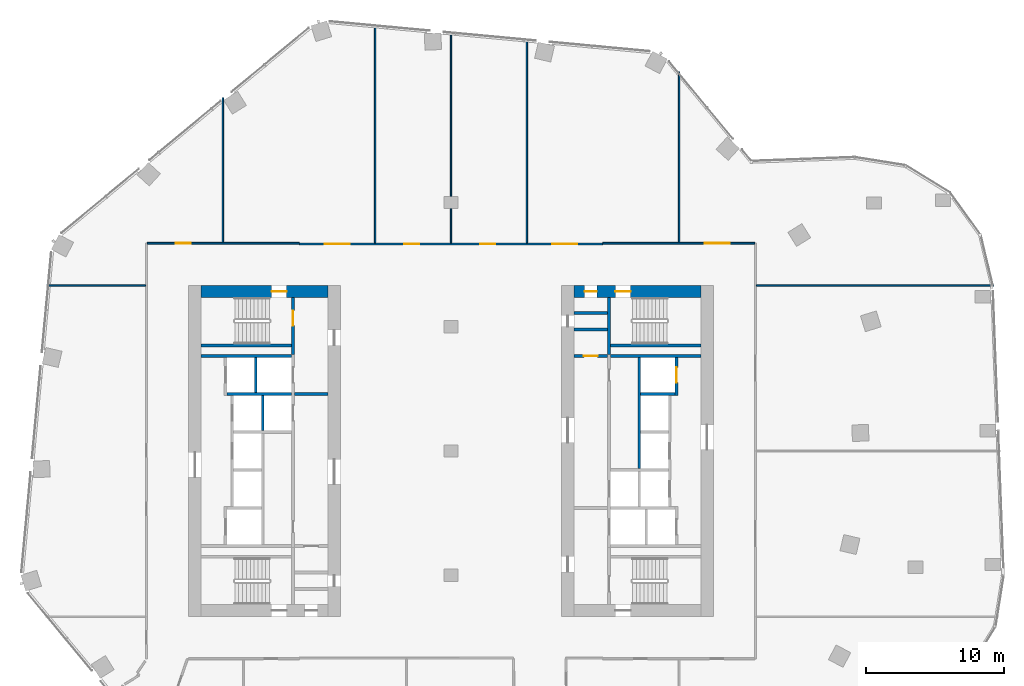
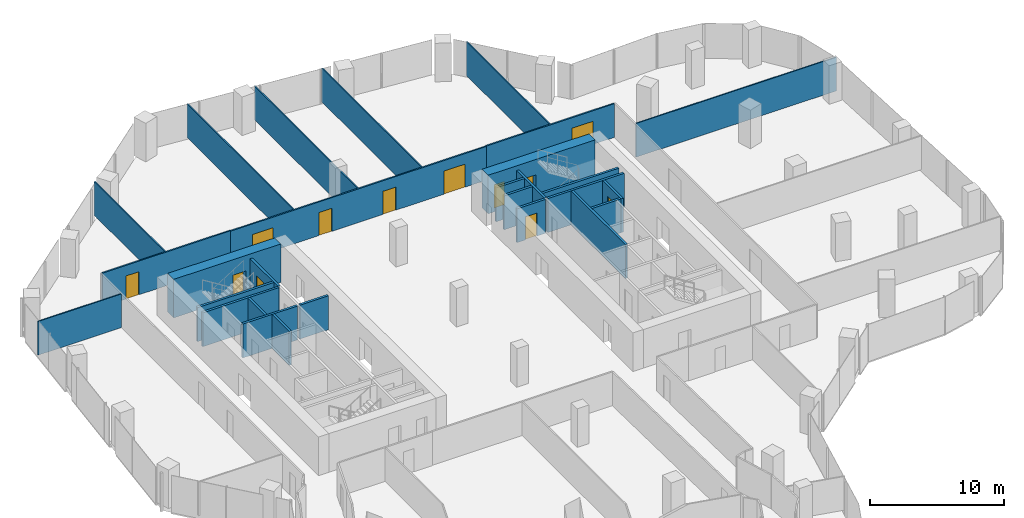
# One storey, part 22 of 24: 28 walls, 12 doors, 12 openings.
"""IFC4 building model written with IfcOpenShell, lengths in metres."""

from ifc_helpers import new_model, si_unit, direction, frame, frame_2d, origin, place, context, subcontext, project, spatial, rectangle, extrude, material, layer, layer_set, type_object, element, fill, save


model = new_model("IFC4")

# Units and contexts
model_context = context("Model", 3, precision=1e-05, world=origin(), true_north=direction((0.0, 1.0)))
body_context = subcontext(model_context, "Body", "Model", "MODEL_VIEW")
ifc_project = project(units=[si_unit("LENGTHUNIT", "METRE"), si_unit("AREAUNIT", "SQUARE_METRE"), si_unit("VOLUMEUNIT", "CUBIC_METRE"), si_unit("PLANEANGLEUNIT", "RADIAN"), si_unit("MASSUNIT", "GRAM", prefix="KILO")], contexts=[model_context])

# Site, building, storey
site_placement = place(None, origin())
site = spatial("IfcSite", under=ifc_project, at=site_placement, CompositionType="ELEMENT")
building_placement = place(site_placement, origin())
building = spatial("IfcBuilding", under=site, at=building_placement, Name="Orlundy Tower", CompositionType="ELEMENT")
storey_placement = place(building_placement, frame((0.0, 0.0, 174.10009765625)))
storey = spatial("IfcBuildingStorey", under=building, at=storey_placement, Name="L45", CompositionType="ELEMENT", Elevation=174.10009765625)

# Wall, opening, door
ifc_material_1 = material(Name="Concrete C70/85", Category="concrete")
ifc_layer_1 = layer(ifc_material_1, 0.89990234375)
ifc_layer_set_1 = layer_set([ifc_layer_1], Name="CORE WALL 900 C70/85")
wall_type_1 = type_object("IfcWallType", Name="CORE WALL 900 C70/85", PredefinedType="SHEAR", material=ifc_layer_set_1)
wall_1_placement = place(storey_placement, frame((-18.10009765625, 11.550048828125, 0.0), z_axis=(0.0, 0.0, 1.0), x_axis=(1.0, 0.0, 0.0)))
wall_1 = element("IfcWall", 1, at=wall_1_placement, inside=storey, type_object=wall_type_1, Name="Core wall W-N L45", PredefinedType="SHEAR", context=body_context, shape_type="SweptSolid", body=[
    extrude(rectangle(XDim=9.2001953125, YDim=0.89990234375, at=frame_2d((4.60009765625, 0.0))), origin(), (0.0, 0.0, 1.0), 3.5),
])
opening_1_placement = place(wall_1_placement, frame((5.10009765625, 0.0, 0.0)))
opening_1 = element("IfcOpeningElement", 2, at=opening_1_placement, cuts=wall_1, Name="Opening 35011", PredefinedType="OPENING", context=body_context, shape_type="SweptSolid", body=[
    extrude(rectangle(XDim=1.10009765625, YDim=2.10009765625, at=frame_2d((0.550048828125, 1.050048828125))), frame((0.0, 0.4599609375, 0.0), z_axis=(0.0, -1.0, 0.0), x_axis=(1.0, 0.0, 0.0)), (0.0, 0.0, 1.0), 0.919921875),
])
ifc_material_2 = material(Name="Steel door set", Category="steel")
door_type_1 = type_object("IfcDoorType", Name="Stair Door 1100x2100", OperationType="SINGLE_SWING_LEFT", PredefinedType="DOOR", material=ifc_material_2)
door_1_placement = place(opening_1_placement, origin())
door_1 = element("IfcDoor", 3, at=door_1_placement, inside=storey, type_object=door_type_1, Name="Stair door 35011", OperationType="SINGLE_SWING_RIGHT", OverallHeight=2.10009765625, OverallWidth=1.10009765625, PredefinedType="DOOR", context=body_context, shape_type="SweptSolid", body=[
    extrude(rectangle(XDim=1.10009765625, YDim=2.10009765625, at=frame_2d((0.550048828125, 1.050048828125))), frame((0.0, 0.02490234375, 0.0), z_axis=(0.0, -1.0, 0.0), x_axis=(1.0, 0.0, 0.0)), (0.0, 0.0, 1.0), 0.050048828125),
])
fill(opening_1, door_1)

# Wall, openings, doors
wall_2_placement = place(storey_placement, frame((8.89990234375, 11.550048828125, 0.0), z_axis=(0.0, 0.0, 1.0), x_axis=(1.0, 0.0, 0.0)))
wall_2 = element("IfcWall", 4, at=wall_2_placement, inside=storey, type_object=wall_type_1, Name="Core wall E-N L45", PredefinedType="SHEAR", context=body_context, shape_type="SweptSolid", body=[
    extrude(rectangle(XDim=9.2001953125, YDim=0.89990234375, at=frame_2d((4.60009765625, 0.0))), origin(), (0.0, 0.0, 1.0), 3.5),
])
opening_2_placement = place(wall_2_placement, frame((3.0, 0.0, 0.0)))
opening_2 = element("IfcOpeningElement", 5, at=opening_2_placement, cuts=wall_2, Name="Opening 35061", PredefinedType="OPENING", context=body_context, shape_type="SweptSolid", body=[
    extrude(rectangle(XDim=1.10009765625, YDim=2.10009765625, at=frame_2d((0.550048828125, 1.050048828125))), frame((0.0, 0.4599609375, 0.0), z_axis=(0.0, -1.0, 0.0), x_axis=(1.0, 0.0, 0.0)), (0.0, 0.0, 1.0), 0.919921875),
])
opening_3_placement = place(wall_2_placement, frame((0.77001953125, 0.0, 0.0)))
opening_3 = element("IfcOpeningElement", 6, at=opening_3_placement, cuts=wall_2, Name="Opening 35063", PredefinedType="OPENING", context=body_context, shape_type="SweptSolid", body=[
    extrude(rectangle(XDim=0.89990234375, YDim=2.10009765625, at=frame_2d((0.449951171875, 1.050048828125))), frame((0.0, 0.4599609375, 0.0), z_axis=(0.0, -1.0, 0.0), x_axis=(1.0, 0.0, 0.0)), (0.0, 0.0, 1.0), 0.919921875),
])
ifc_material_3 = material(Name="Timber door set", Category="wood")
door_type_2 = type_object("IfcDoorType", Name="Room Door 900x2100", OperationType="SINGLE_SWING_LEFT", PredefinedType="DOOR", material=ifc_material_3)
door_2_placement = place(opening_3_placement, origin())
door_2 = element("IfcDoor", 7, at=door_2_placement, inside=storey, type_object=door_type_2, Name="Store door 35063", OperationType="SINGLE_SWING_LEFT", OverallHeight=2.10009765625, OverallWidth=0.89990234375, PredefinedType="DOOR", context=body_context, shape_type="SweptSolid", body=[
    extrude(rectangle(XDim=0.89990234375, YDim=2.10009765625, at=frame_2d((0.449951171875, 1.050048828125))), frame((0.0, 0.02490234375, 0.0), z_axis=(0.0, -1.0, 0.0), x_axis=(1.0, 0.0, 0.0)), (0.0, 0.0, 1.0), 0.050048828125),
])
fill(opening_3, door_2)
door_3_placement = place(opening_2_placement, origin())
door_3 = element("IfcDoor", 8, at=door_3_placement, inside=storey, type_object=door_type_1, Name="Stair door 35061", OperationType="SINGLE_SWING_LEFT", OverallHeight=2.10009765625, OverallWidth=1.10009765625, PredefinedType="DOOR", context=body_context, shape_type="SweptSolid", body=[
    extrude(rectangle(XDim=1.10009765625, YDim=2.10009765625, at=frame_2d((0.550048828125, 1.050048828125))), frame((0.0, 0.02490234375, 0.0), z_axis=(0.0, -1.0, 0.0), x_axis=(1.0, 0.0, 0.0)), (0.0, 0.0, 1.0), 0.050048828125),
])
fill(opening_2, door_3)

# Walls
ifc_material_4 = material(Name="Gypsum board partition")
ifc_layer_2 = layer(ifc_material_4, 0.10009765625)
ifc_layer_set_2 = layer_set([ifc_layer_2], Name="Floor partition 100")
wall_type_2 = type_object("IfcWallType", Name="Floor partition 100", PredefinedType="PARTITIONING", material=ifc_layer_set_2)
wall_3_placement = place(storey_placement, frame((-29.260986328125, 12.0, 0.0), z_axis=(0.0, 0.0, 1.0), x_axis=(1.0, 0.0, 0.0)))
element("IfcWall", 9, at=wall_3_placement, inside=storey, type_object=wall_type_2, Name="wall-int-L45-044", PredefinedType="PARTITIONING", context=body_context, shape_type="SweptSolid", body=[
    extrude(rectangle(XDim=7.14794921875, YDim=0.10009765625, at=frame_2d((3.573974609375, 0.0))), origin(), (0.0, 0.0, 1.0), 3.059814453125),
])
wall_4_placement = place(storey_placement, frame((22.113037109375, 12.0, 0.0), z_axis=(0.0, 0.0, 1.0), x_axis=(1.0, 0.0, 0.0)))
element("IfcWall", 10, at=wall_4_placement, inside=storey, type_object=wall_type_2, Name="wall-int-L45-045", PredefinedType="PARTITIONING", context=body_context, shape_type="SweptSolid", body=[
    extrude(rectangle(XDim=17.2119140625, YDim=0.10009765625, at=frame_2d((8.60595703125, 0.0))), origin(), (0.0, 0.0, 1.0), 3.059814453125),
])
wall_5_placement = place(storey_placement, frame((16.52099609375, 15.114013671875, 0.0), z_axis=(0.0, 0.0, 1.0), x_axis=(0.0, 1.0, 0.0)))
element("IfcWall", 11, at=wall_5_placement, inside=storey, type_object=wall_type_2, Name="wall-int-L45-072", PredefinedType="PARTITIONING", context=body_context, shape_type="SweptSolid", body=[
    extrude(rectangle(XDim=12.35205078125, YDim=0.10009765625, at=frame_2d((6.176025390625, 0.0))), origin(), (0.0, 0.0, 1.0), 3.059814453125),
])
wall_6_placement = place(storey_placement, frame((5.4951171875, 15.06298828125, 0.0), z_axis=(0.0, 0.0, 1.0), x_axis=(0.0, 1.0, 0.0)))
element("IfcWall", 12, at=wall_6_placement, inside=storey, type_object=wall_type_2, Name="wall-int-L45-074", PredefinedType="PARTITIONING", context=body_context, shape_type="SweptSolid", body=[
    extrude(rectangle(XDim=14.804931640625, YDim=0.10009765625, at=frame_2d((7.40234375, 0.0))), origin(), (0.0, 0.0, 1.0), 3.059814453125),
])
wall_7_placement = place(storey_placement, frame((0.0, 15.06298828125, 0.0), z_axis=(0.0, 0.0, 1.0), x_axis=(0.0, 1.0, 0.0)))
element("IfcWall", 13, at=wall_7_placement, inside=storey, type_object=wall_type_2, Name="wall-int-L45-076", PredefinedType="PARTITIONING", context=body_context, shape_type="SweptSolid", body=[
    extrude(rectangle(XDim=15.319091796875, YDim=0.10009765625, at=frame_2d((7.65966796875, 0.0))), origin(), (0.0, 0.0, 1.0), 3.059814453125),
])
wall_8_placement = place(storey_placement, frame((-5.4951171875, 15.06298828125, 0.0), z_axis=(0.0, 0.0, 1.0), x_axis=(0.0, 1.0, 0.0)))
element("IfcWall", 14, at=wall_8_placement, inside=storey, type_object=wall_type_2, Name="wall-int-L45-078", PredefinedType="PARTITIONING", context=body_context, shape_type="SweptSolid", body=[
    extrude(rectangle(XDim=15.83203125, YDim=0.10009765625, at=frame_2d((7.916015625, 0.0))), origin(), (0.0, 0.0, 1.0), 3.059814453125),
])
wall_9_placement = place(storey_placement, frame((-16.52001953125, 15.114013671875, 0.0), z_axis=(0.0, 0.0, 1.0), x_axis=(0.0, 1.0, 0.0)))
element("IfcWall", 15, at=wall_9_placement, inside=storey, type_object=wall_type_2, Name="wall-int-L45-081", PredefinedType="PARTITIONING", context=body_context, shape_type="SweptSolid", body=[
    extrude(rectangle(XDim=10.48388671875, YDim=0.10009765625, at=frame_2d((5.241943359375, 0.0))), origin(), (0.0, 0.0, 1.0), 3.059814453125),
])

# Wall, openings, doors
ifc_material_5 = material(Name="Gypsum board partition, double layer")
ifc_layer_3 = layer(ifc_material_5, 0.125)
ifc_layer_set_3 = layer_set([ifc_layer_3], Name="Floor partition 125")
wall_type_3 = type_object("IfcWallType", Name="Floor partition 125", PredefinedType="PARTITIONING", material=ifc_layer_set_3)
wall_10_placement = place(storey_placement, frame((-10.989990234375, 15.0009765625, 0.0), z_axis=(0.0, 0.0, 1.0), x_axis=(1.0, 0.0, 0.0)))
wall_10 = element("IfcWall", 16, at=wall_10_placement, inside=storey, type_object=wall_type_3, Name="wall-int-L45-046", PredefinedType="PARTITIONING", context=body_context, shape_type="SweptSolid", body=[
    extrude(rectangle(XDim=21.97998046875, YDim=0.125, at=frame_2d((10.989990234375, 0.0))), origin(), (0.0, 0.0, 1.0), 3.059814453125),
])
opening_4_placement = place(wall_10_placement, frame((18.3349609375, 0.0, 0.0)))
opening_4 = element("IfcOpeningElement", 17, at=opening_4_placement, cuts=wall_10, Name="Opening 35122", PredefinedType="OPENING", context=body_context, shape_type="SweptSolid", body=[
    extrude(rectangle(XDim=1.800048828125, YDim=2.10009765625, at=frame_2d((0.89990234375, 1.050048828125))), frame((0.0, 0.072509765625, 0.0), z_axis=(0.0, -1.0, 0.0), x_axis=(1.0, 0.0, 0.0)), (0.0, 0.0, 1.0), 0.14501953125),
])
opening_5_placement = place(wall_10_placement, frame((13.090087890625, 0.0, 0.0)))
opening_5 = element("IfcOpeningElement", 18, at=opening_5_placement, cuts=wall_10, Name="Opening 35123", PredefinedType="OPENING", context=body_context, shape_type="SweptSolid", body=[
    extrude(rectangle(XDim=1.10009765625, YDim=2.10009765625, at=frame_2d((0.550048828125, 1.050048828125))), frame((0.0, 0.072509765625, 0.0), z_axis=(0.0, -1.0, 0.0), x_axis=(1.0, 0.0, 0.0)), (0.0, 0.0, 1.0), 0.14501953125),
])
opening_6_placement = place(wall_10_placement, frame((7.594970703125, 0.0, 0.0)))
opening_6 = element("IfcOpeningElement", 19, at=opening_6_placement, cuts=wall_10, Name="Opening 35124", PredefinedType="OPENING", context=body_context, shape_type="SweptSolid", body=[
    extrude(rectangle(XDim=1.10009765625, YDim=2.10009765625, at=frame_2d((0.550048828125, 1.050048828125))), frame((0.0, 0.072509765625, 0.0), z_axis=(0.0, -1.0, 0.0), x_axis=(1.0, 0.0, 0.0)), (0.0, 0.0, 1.0), 0.14501953125),
])
opening_7_placement = place(wall_10_placement, frame((1.85009765625, 0.0, 0.0)))
opening_7 = element("IfcOpeningElement", 20, at=opening_7_placement, cuts=wall_10, Name="Opening 35125", PredefinedType="OPENING", context=body_context, shape_type="SweptSolid", body=[
    extrude(rectangle(XDim=1.800048828125, YDim=2.10009765625, at=frame_2d((0.89990234375, 1.050048828125))), frame((0.0, 0.072509765625, 0.0), z_axis=(0.0, -1.0, 0.0), x_axis=(1.0, 0.0, 0.0)), (0.0, 0.0, 1.0), 0.14501953125),
])
ifc_material_6 = material(Name="Timber door leaf", Category="wood")
door_type_3 = type_object("IfcDoorType", Name="Floor door double 1800 FD30S", OperationType="NOTDEFINED", PredefinedType="DOOR", material=ifc_material_6)
door_4_placement = place(opening_4_placement, origin())
door_4 = element("IfcDoor", 21, at=door_4_placement, inside=storey, type_object=door_type_3, Name="Door 35122", OperationType="DOUBLE_DOOR_SINGLE_SWING", OverallHeight=2.10009765625, OverallWidth=1.800048828125, PredefinedType="DOOR", context=body_context, shape_type="SweptSolid", body=[
    extrude(rectangle(XDim=1.800048828125, YDim=2.10009765625, at=frame_2d((0.89990234375, 1.050048828125))), frame((0.0, 0.02490234375, 0.0), z_axis=(0.0, -1.0, 0.0), x_axis=(1.0, 0.0, 0.0)), (0.0, 0.0, 1.0), 0.050048828125),
])
fill(opening_4, door_4)
door_5_placement = place(opening_7_placement, origin())
door_5 = element("IfcDoor", 22, at=door_5_placement, inside=storey, type_object=door_type_3, Name="Door 35125", OperationType="DOUBLE_DOOR_SINGLE_SWING", OverallHeight=2.10009765625, OverallWidth=1.800048828125, PredefinedType="DOOR", context=body_context, shape_type="SweptSolid", body=[
    extrude(rectangle(XDim=1.800048828125, YDim=2.10009765625, at=frame_2d((0.89990234375, 1.050048828125))), frame((0.0, 0.02490234375, 0.0), z_axis=(0.0, -1.0, 0.0), x_axis=(1.0, 0.0, 0.0)), (0.0, 0.0, 1.0), 0.050048828125),
])
fill(opening_7, door_5)
ifc_material_7 = material(Name="Timber door leaf", Category="wood")
door_type_4 = type_object("IfcDoorType", Name="Floor door xwide 1100 FD30S", OperationType="NOTDEFINED", PredefinedType="DOOR", material=ifc_material_7)
door_6_placement = place(opening_5_placement, origin())
door_6 = element("IfcDoor", 23, at=door_6_placement, inside=storey, type_object=door_type_4, Name="Door 35123", OperationType="SINGLE_SWING_RIGHT", OverallHeight=2.10009765625, OverallWidth=1.10009765625, PredefinedType="DOOR", context=body_context, shape_type="SweptSolid", body=[
    extrude(rectangle(XDim=1.10009765625, YDim=2.10009765625, at=frame_2d((0.550048828125, 1.050048828125))), frame((0.0, 0.02490234375, 0.0), z_axis=(0.0, -1.0, 0.0), x_axis=(1.0, 0.0, 0.0)), (0.0, 0.0, 1.0), 0.050048828125),
])
fill(opening_5, door_6)
door_7_placement = place(opening_6_placement, origin())
door_7 = element("IfcDoor", 24, at=door_7_placement, inside=storey, type_object=door_type_4, Name="Door 35124", OperationType="SINGLE_SWING_LEFT", OverallHeight=2.10009765625, OverallWidth=1.10009765625, PredefinedType="DOOR", context=body_context, shape_type="SweptSolid", body=[
    extrude(rectangle(XDim=1.10009765625, YDim=2.10009765625, at=frame_2d((0.550048828125, 1.050048828125))), frame((0.0, 0.02490234375, 0.0), z_axis=(0.0, -1.0, 0.0), x_axis=(1.0, 0.0, 0.0)), (0.0, 0.0, 1.0), 0.050048828125),
])
fill(opening_6, door_7)

# Wall, opening, door
wall_11_placement = place(storey_placement, frame((-21.988037109375, 15.051025390625, 0.0), z_axis=(0.0, 0.0, 1.0), x_axis=(1.0, 0.0, 0.0)))
wall_11 = element("IfcWall", 25, at=wall_11_placement, inside=storey, type_object=wall_type_3, Name="wall-int-L45-047", PredefinedType="PARTITIONING", context=body_context, shape_type="SweptSolid", body=[
    extrude(rectangle(XDim=10.9970703125, YDim=0.125, at=frame_2d((5.49853515625, 0.0))), origin(), (0.0, 0.0, 1.0), 3.059814453125),
])
opening_8_placement = place(wall_11_placement, frame((2.03759765625, 0.0, 0.0)))
opening_8 = element("IfcOpeningElement", 26, at=opening_8_placement, cuts=wall_11, Name="Opening 35126", PredefinedType="OPENING", context=body_context, shape_type="SweptSolid", body=[
    extrude(rectangle(XDim=1.10009765625, YDim=2.10009765625, at=frame_2d((0.550048828125, 1.050048828125))), frame((0.0, 0.072509765625, 0.0), z_axis=(0.0, -1.0, 0.0), x_axis=(1.0, 0.0, 0.0)), (0.0, 0.0, 1.0), 0.14501953125),
])
door_8_placement = place(opening_8_placement, origin())
door_8 = element("IfcDoor", 27, at=door_8_placement, inside=storey, type_object=door_type_4, Name="Door 35126", OperationType="SINGLE_SWING_LEFT", OverallHeight=2.10009765625, OverallWidth=1.10009765625, PredefinedType="DOOR", context=body_context, shape_type="SweptSolid", body=[
    extrude(rectangle(XDim=1.10009765625, YDim=2.10009765625, at=frame_2d((0.550048828125, 1.050048828125))), frame((0.0, 0.02490234375, 0.0), z_axis=(0.0, -1.0, 0.0), x_axis=(1.0, 0.0, 0.0)), (0.0, 0.0, 1.0), 0.050048828125),
])
fill(opening_8, door_8)

wall_12_placement = place(storey_placement, frame((10.990966796875, 15.051025390625, 0.0), z_axis=(0.0, 0.0, 1.0), x_axis=(1.0, 0.0, 0.0)))
wall_12 = element("IfcWall", 28, at=wall_12_placement, inside=storey, type_object=wall_type_3, Name="wall-int-L45-048", PredefinedType="PARTITIONING", context=body_context, shape_type="SweptSolid", body=[
    extrude(rectangle(XDim=10.9970703125, YDim=0.125, at=frame_2d((5.49853515625, 0.0))), origin(), (0.0, 0.0, 1.0), 3.059814453125),
])
opening_9_placement = place(wall_12_placement, frame((7.3798828125, 0.0, 0.0)))
opening_9 = element("IfcOpeningElement", 29, at=opening_9_placement, cuts=wall_12, Name="Opening 35121", PredefinedType="OPENING", context=body_context, shape_type="SweptSolid", body=[
    extrude(rectangle(XDim=1.800048828125, YDim=2.10009765625, at=frame_2d((0.89990234375, 1.050048828125))), frame((0.0, 0.072509765625, 0.0), z_axis=(0.0, -1.0, 0.0), x_axis=(1.0, 0.0, 0.0)), (0.0, 0.0, 1.0), 0.14501953125),
])
door_9_placement = place(opening_9_placement, origin())
door_9 = element("IfcDoor", 30, at=door_9_placement, inside=storey, type_object=door_type_3, Name="Door 35121", OperationType="DOUBLE_DOOR_SINGLE_SWING", OverallHeight=2.10009765625, OverallWidth=1.800048828125, PredefinedType="DOOR", context=body_context, shape_type="SweptSolid", body=[
    extrude(rectangle(XDim=1.800048828125, YDim=2.10009765625, at=frame_2d((0.89990234375, 1.050048828125))), frame((0.0, 0.02490234375, 0.0), z_axis=(0.0, -1.0, 0.0), x_axis=(1.0, 0.0, 0.0)), (0.0, 0.0, 1.0), 0.050048828125),
])
fill(opening_9, door_9)

ifc_material_8 = material(Name="Concrete C40/50", Category="concrete")
ifc_layer_4 = layer(ifc_material_8, 0.199951171875)
ifc_layer_set_4 = layer_set([ifc_layer_4], Name="Load-bearing Shaft Wall 200")
wall_type_4 = type_object("IfcWallType", Name="Load-bearing Shaft Wall 200", PredefinedType="SOLIDWALL", material=ifc_layer_set_4)
wall_13_placement = place(storey_placement, frame((-11.43994140625, 6.97509765625, 0.0), z_axis=(0.0, 0.0, 1.0), x_axis=(0.0, 1.0, 0.0)))
wall_13 = element("IfcWall", 31, at=wall_13_placement, inside=storey, type_object=wall_type_4, Name="Shaft wall W35-stair-end-n", PredefinedType="SOLIDWALL", context=body_context, shape_type="SweptSolid", body=[
    extrude(rectangle(XDim=4.125, YDim=0.199951171875, at=frame_2d((2.0625, 0.0))), origin(), (0.0, 0.0, 1.0), 3.079833984375),
])
opening_10_placement = place(wall_13_placement, frame((2.10009765625, 0.0, 0.0)))
opening_10 = element("IfcOpeningElement", 32, at=opening_10_placement, cuts=wall_13, Name="Opening 35013", PredefinedType="OPENING", context=body_context, shape_type="SweptSolid", body=[
    extrude(rectangle(XDim=1.10009765625, YDim=2.10009765625, at=frame_2d((0.550048828125, 1.050048828125))), frame((0.0, 0.110107421875, 0.0), z_axis=(0.0, -1.0, 0.0), x_axis=(1.0, 0.0, 0.0)), (0.0, 0.0, 1.0), 0.22021484375),
])
ifc_material_9 = material(Name="Steel door set", Category="steel")
door_type_5 = type_object("IfcDoorType", Name="Fire-fighting Lobby Door 1100x2100", OperationType="SINGLE_SWING_LEFT", PredefinedType="DOOR", material=ifc_material_9)
door_10_placement = place(opening_10_placement, origin())
door_10 = element("IfcDoor", 33, at=door_10_placement, inside=storey, type_object=door_type_5, Name="Fire-fighting lobby to stair door 35013", OperationType="SINGLE_SWING_RIGHT", OverallHeight=2.10009765625, OverallWidth=1.10009765625, PredefinedType="DOOR", context=body_context, shape_type="SweptSolid", body=[
    extrude(rectangle(XDim=1.10009765625, YDim=2.10009765625, at=frame_2d((0.550048828125, 1.050048828125))), frame((0.0, 0.02490234375, 0.0), z_axis=(0.0, -1.0, 0.0), x_axis=(1.0, 0.0, 0.0)), (0.0, 0.0, 1.0), 0.050048828125),
])
fill(opening_10, door_10)

# Walls
wall_14_placement = place(storey_placement, frame((-11.5400390625, 7.64990234375, 0.0), z_axis=(0.0, 0.0, 1.0), x_axis=(-1.0, 0.0, 0.0)))
element("IfcWall", 34, at=wall_14_placement, inside=storey, type_object=wall_type_4, Name="Shaft wall W35-stair-side-n", PredefinedType="SOLIDWALL", context=body_context, shape_type="SweptSolid", body=[
    extrude(rectangle(XDim=6.56005859375, YDim=0.199951171875, at=frame_2d((3.280029296875, 0.0))), origin(), (0.0, 0.0, 1.0), 3.079833984375),
])
wall_15_placement = place(storey_placement, frame((11.43994140625, 11.10009765625, 0.0), z_axis=(0.0, 0.0, 1.0), x_axis=(0.0, -1.0, 0.0)))
element("IfcWall", 35, at=wall_15_placement, inside=storey, type_object=wall_type_4, Name="Shaft wall E35-stair-end-s", PredefinedType="SOLIDWALL", context=body_context, shape_type="SweptSolid", body=[
    extrude(rectangle(XDim=4.125, YDim=0.199951171875, at=frame_2d((2.0625, 0.0))), origin(), (0.0, 0.0, 1.0), 3.079833984375),
])
wall_16_placement = place(storey_placement, frame((11.5400390625, 7.64990234375, 0.0), z_axis=(0.0, 0.0, 1.0), x_axis=(1.0, 0.0, 0.0)))
element("IfcWall", 36, at=wall_16_placement, inside=storey, type_object=wall_type_4, Name="Shaft wall E35-stair-side-s", PredefinedType="SOLIDWALL", context=body_context, shape_type="SweptSolid", body=[
    extrude(rectangle(XDim=6.56005859375, YDim=0.199951171875, at=frame_2d((3.280029296875, 0.0))), origin(), (0.0, 0.0, 1.0), 3.079833984375),
])
ifc_material_10 = material(Name="Gypsum board partition on steel studs", Category="steel")
ifc_layer_5 = layer(ifc_material_10, 0.199951171875)
ifc_layer_set_5 = layer_set([ifc_layer_5], Name="Partition 200")
wall_type_5 = type_object("IfcWallType", Name="Partition 200", PredefinedType="PARTITIONING", material=ifc_layer_set_5)
wall_17_placement = place(storey_placement, frame((-8.89990234375, 4.125, 0.0), z_axis=(0.0, 0.0, 1.0), x_axis=(-1.0, 0.0, 0.0)))
element("IfcWall", 37, at=wall_17_placement, inside=storey, type_object=wall_type_5, Name="Partition wall W35-lobby-n", PredefinedType="PARTITIONING", context=body_context, shape_type="SweptSolid", body=[
    extrude(rectangle(XDim=2.440185546875, YDim=0.199951171875, at=frame_2d((1.22021484375, 0.0))), origin(), (0.0, 0.0, 1.0), 3.079833984375),
])

# Wall, opening, door
wall_18_placement = place(storey_placement, frame((8.89990234375, 6.875, 0.0), z_axis=(0.0, 0.0, 1.0), x_axis=(1.0, 0.0, 0.0)))
wall_18 = element("IfcWall", 38, at=wall_18_placement, inside=storey, type_object=wall_type_5, Name="Partition wall E35-end-s", PredefinedType="PARTITIONING", context=body_context, shape_type="SweptSolid", body=[
    extrude(rectangle(XDim=2.440185546875, YDim=0.199951171875, at=frame_2d((1.22021484375, 0.0))), origin(), (0.0, 0.0, 1.0), 3.079833984375),
])
opening_11_placement = place(wall_18_placement, frame((0.719970703125, 0.0, 0.0)))
opening_11 = element("IfcOpeningElement", 39, at=opening_11_placement, cuts=wall_18, Name="Opening 35065", PredefinedType="OPENING", context=body_context, shape_type="SweptSolid", body=[
    extrude(rectangle(XDim=1.0, YDim=2.10009765625, at=frame_2d((0.5, 1.050048828125))), frame((0.0, 0.110107421875, 0.0), z_axis=(0.0, -1.0, 0.0), x_axis=(1.0, 0.0, 0.0)), (0.0, 0.0, 1.0), 0.22021484375),
])
ifc_material_11 = material(Name="Timber door set", Category="wood")
door_type_6 = type_object("IfcDoorType", Name="Accessible Door 1000x2100", OperationType="SINGLE_SWING_LEFT", PredefinedType="DOOR", material=ifc_material_11)
door_11_placement = place(opening_11_placement, origin())
door_11 = element("IfcDoor", 40, at=door_11_placement, inside=storey, type_object=door_type_6, Name="Accessible WC door 35065", OperationType="SINGLE_SWING_RIGHT", OverallHeight=2.10009765625, OverallWidth=1.0, PredefinedType="DOOR", context=body_context, shape_type="SweptSolid", body=[
    extrude(rectangle(XDim=1.0, YDim=2.10009765625, at=frame_2d((0.5, 1.050048828125))), frame((0.0, 0.02490234375, 0.0), z_axis=(0.0, -1.0, 0.0), x_axis=(1.0, 0.0, 0.0)), (0.0, 0.0, 1.0), 0.050048828125),
])
fill(opening_11, door_11)

# Walls
for number, where, z_axis, x_axis, name in (
    (41, (8.89990234375, 10.0, 0.0), (0.0, 0.0, 1.0), (1.0, 0.0, 0.0), "Partition wall E35-room-s0"),
    (42, (8.89990234375, 8.800048828125, 0.0), (0.0, 0.0, 1.0), (1.0, 0.0, 0.0), "Partition wall E35-room-s1"),
):
    element("IfcWall", number, at=place(storey_placement, frame(where, z_axis=z_axis, x_axis=x_axis)), inside=storey, type_object=wall_type_5, Name=name, PredefinedType="PARTITIONING", context=body_context, shape_type="SweptSolid", body=[
        extrude(rectangle(XDim=2.440185546875, YDim=0.199951171875, at=frame_2d((1.22021484375, 0.0))), origin(), (0.0, 0.0, 1.0), 3.079833984375),
    ])
ifc_material_12 = material(Name="Fire-rated blockwork shaft wall", Category="masonry")
ifc_layer_6 = layer(ifc_material_12, 0.199951171875)
ifc_layer_set_6 = layer_set([ifc_layer_6], Name="Shaft Wall 200")
wall_type_6 = type_object("IfcWallType", Name="Shaft Wall 200", PredefinedType="SOLIDWALL", material=ifc_layer_set_6)
wall_19_placement = place(storey_placement, frame((-11.5400390625, 6.875, 0.0), z_axis=(0.0, 0.0, 1.0), x_axis=(-1.0, 0.0, 0.0)))
element("IfcWall", 43, at=wall_19_placement, inside=storey, type_object=wall_type_6, Name="Shaft wall W35-zone-n", PredefinedType="SOLIDWALL", context=body_context, shape_type="SweptSolid", body=[
    extrude(rectangle(XDim=6.56005859375, YDim=0.199951171875, at=frame_2d((3.280029296875, 0.0))), origin(), (0.0, 0.0, 1.0), 3.079833984375),
])
wall_20_placement = place(storey_placement, frame((-11.5400390625, 4.125, 0.0), z_axis=(0.0, 0.0, 1.0), x_axis=(-1.0, 0.0, 0.0)))
element("IfcWall", 44, at=wall_20_placement, inside=storey, type_object=wall_type_6, Name="Shaft wall W35-cross+4.125", PredefinedType="SOLIDWALL", context=body_context, shape_type="SweptSolid", body=[
    extrude(rectangle(XDim=4.699951171875, YDim=0.199951171875, at=frame_2d((2.35009765625, 0.0))), origin(), (0.0, 0.0, 1.0), 3.079833984375),
])
for number, where, z_axis, x_axis, name in (
    (45, (-13.639892578125, 1.47509765625, 0.0), (0.0, 0.0, 1.0), (0.0, 1.0, 0.0), "Shaft wall W35-mid-a.1"),
    (46, (-14.139892578125, 4.22509765625, 0.0), (0.0, 0.0, 1.0), (0.0, 1.0, 0.0), "Shaft wall W35-mid-b"),
):
    element("IfcWall", number, at=place(storey_placement, frame(where, z_axis=z_axis, x_axis=x_axis)), inside=storey, type_object=wall_type_6, Name=name, PredefinedType="SOLIDWALL", context=body_context, shape_type="SweptSolid", body=[
        extrude(rectangle(XDim=2.5498046875, YDim=0.199951171875, at=frame_2d((1.27490234375, 0.0))), origin(), (0.0, 0.0, 1.0), 3.079833984375),
    ])
wall_21_placement = place(storey_placement, frame((11.5400390625, 6.875, 0.0), z_axis=(0.0, 0.0, 1.0), x_axis=(1.0, 0.0, 0.0)))
element("IfcWall", 47, at=wall_21_placement, inside=storey, type_object=wall_type_6, Name="Shaft wall E35-zone-s", PredefinedType="SOLIDWALL", context=body_context, shape_type="SweptSolid", body=[
    extrude(rectangle(XDim=6.56005859375, YDim=0.199951171875, at=frame_2d((3.280029296875, 0.0))), origin(), (0.0, 0.0, 1.0), 3.079833984375),
])
wall_22_placement = place(storey_placement, frame((13.739990234375, 4.125, 0.0), z_axis=(0.0, 0.0, 1.0), x_axis=(1.0, 0.0, 0.0)))
element("IfcWall", 48, at=wall_22_placement, inside=storey, type_object=wall_type_6, Name="Shaft wall E35-cross-4.125", PredefinedType="SOLIDWALL", context=body_context, shape_type="SweptSolid", body=[
    extrude(rectangle(XDim=2.5, YDim=0.199951171875, at=frame_2d((1.25, 0.0))), origin(), (0.0, 0.0, 1.0), 3.079833984375),
])
wall_23_placement = place(storey_placement, frame((13.639892578125, 6.77490234375, 0.0), z_axis=(0.0, 0.0, 1.0), x_axis=(0.0, -1.0, 0.0)))
element("IfcWall", 49, at=wall_23_placement, inside=storey, type_object=wall_type_6, Name="Shaft wall E35-mid-a", PredefinedType="SOLIDWALL", context=body_context, shape_type="SweptSolid", body=[
    extrude(rectangle(XDim=8.0498046875, YDim=0.199951171875, at=frame_2d((4.02490234375, 0.0))), origin(), (0.0, 0.0, 1.0), 3.079833984375),
])

# Wall, opening, door
wall_24_placement = place(storey_placement, frame((16.340087890625, 6.77490234375, 0.0), z_axis=(0.0, 0.0, 1.0), x_axis=(0.0, -1.0, 0.0)))
wall_24 = element("IfcWall", 50, at=wall_24_placement, inside=storey, type_object=wall_type_6, Name="Shaft wall E35-front-o-a", PredefinedType="SOLIDWALL", context=body_context, shape_type="SweptSolid", body=[
    extrude(rectangle(XDim=2.75, YDim=0.199951171875, at=frame_2d((1.375, 0.0))), origin(), (0.0, 0.0, 1.0), 3.079833984375),
])
opening_12_placement = place(wall_24_placement, frame((0.72509765625, 0.0, 0.0)))
opening_12 = element("IfcOpeningElement", 51, at=opening_12_placement, cuts=wall_24, Name="Opening 35050", PredefinedType="OPENING", context=body_context, shape_type="SweptSolid", body=[
    extrude(rectangle(XDim=1.10009765625, YDim=2.10009765625, at=frame_2d((0.550048828125, 1.050048828125))), frame((0.0, 0.110107421875, 0.0), z_axis=(0.0, -1.0, 0.0), x_axis=(1.0, 0.0, 0.0)), (0.0, 0.0, 1.0), 0.22021484375),
])
ifc_material_13 = material(Name="Steel door set", Category="steel")
door_type_7 = type_object("IfcDoorType", Name="Landing Door 1100x2100", OperationType="DOUBLE_DOOR_SLIDING", PredefinedType="DOOR", material=ifc_material_13)
door_12_placement = place(opening_12_placement, origin())
door_12 = element("IfcDoor", 52, at=door_12_placement, inside=storey, type_object=door_type_7, Name="Lift landing door LV-02 35050", OperationType="DOUBLE_DOOR_SLIDING", OverallHeight=2.10009765625, OverallWidth=1.10009765625, PredefinedType="DOOR", context=body_context, shape_type="SweptSolid", body=[
    extrude(rectangle(XDim=1.10009765625, YDim=2.10009765625, at=frame_2d((0.550048828125, 1.050048828125))), frame((0.0, 0.02490234375, 0.0), z_axis=(0.0, -1.0, 0.0), x_axis=(1.0, 0.0, 0.0)), (0.0, 0.0, 1.0), 0.050048828125),
])
fill(opening_12, door_12)

save(model, "model.ifc")
